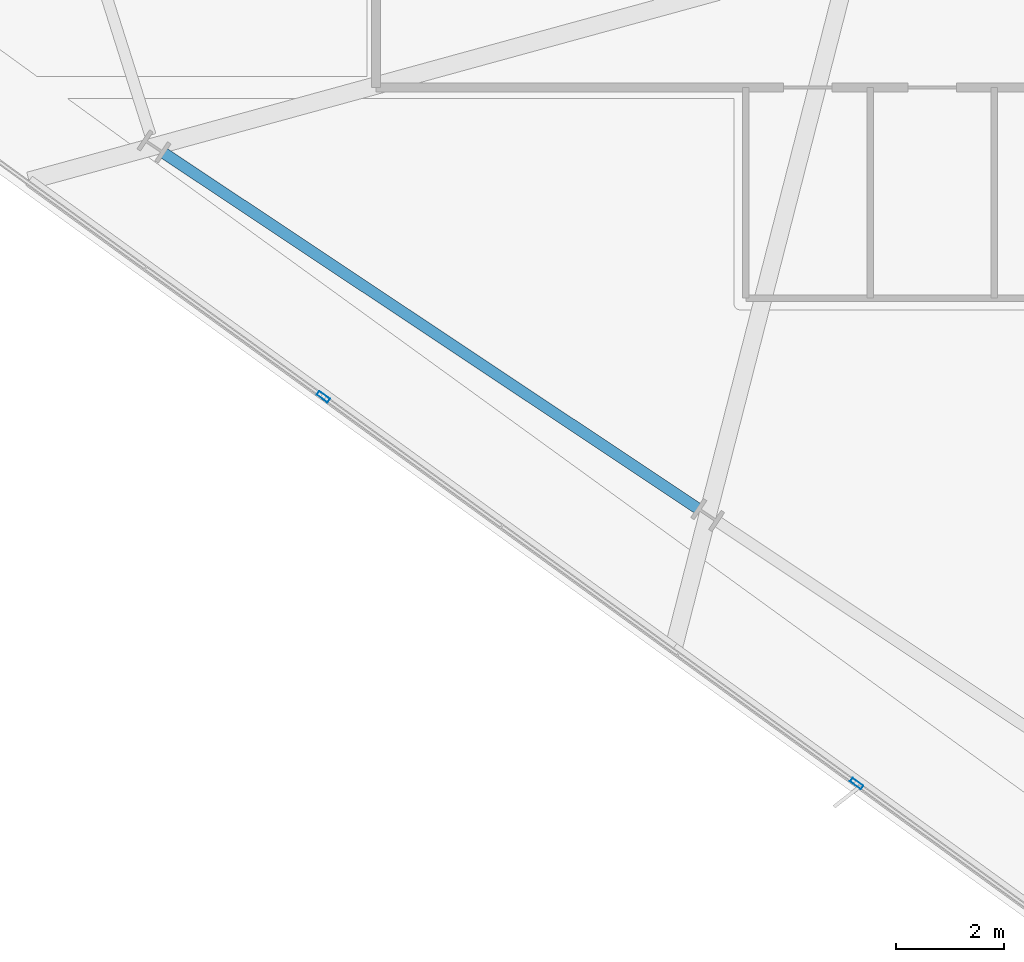
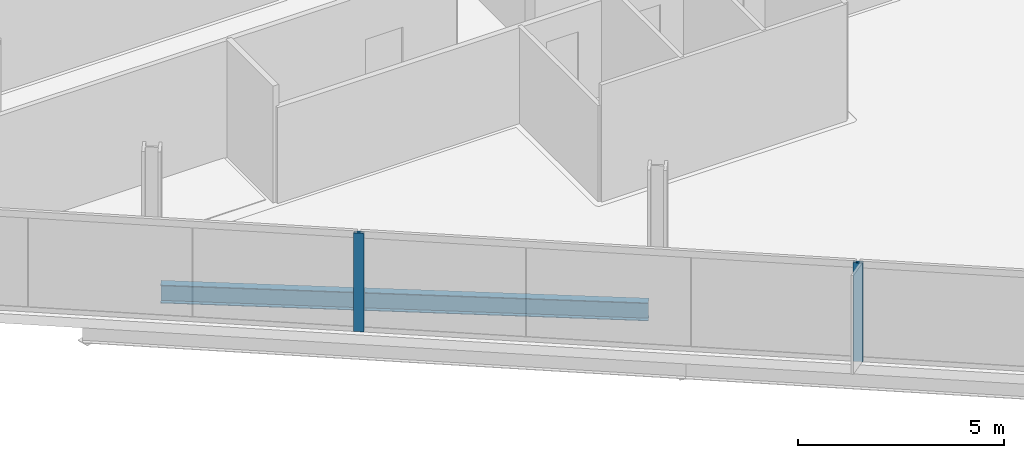
# One storey, part 2 of 29: 2 members, 1 beam, 1 element without a shape of its own.
"""IFC4 building model written with IfcOpenShell, lengths in metres."""

from ifc_helpers import new_model, si_unit, direction, frame, origin, origin_2d, place, context, subcontext, project, spatial, hollow_rectangle, i_section, extrude, material, material_profile, profile_set, type_object, element, aggregate, save


model = new_model("IFC4")

# Units and contexts
model_context = context("Model", 3, precision=1e-05, world=origin(), true_north=direction((0.0, 1.0)))
body_context = subcontext(model_context, "Body", "Model", "MODEL_VIEW")
ifc_project = project(units=[si_unit("LENGTHUNIT", "METRE"), si_unit("AREAUNIT", "SQUARE_METRE"), si_unit("VOLUMEUNIT", "CUBIC_METRE"), si_unit("PLANEANGLEUNIT", "RADIAN"), si_unit("MASSUNIT", "GRAM", prefix="KILO")], contexts=[model_context])

# Site, building, storey
site_placement = place(None, origin())
site = spatial("IfcSite", under=ifc_project, at=site_placement, CompositionType="ELEMENT")
building_placement = place(site_placement, origin())
building = spatial("IfcBuilding", under=site, at=building_placement, Name="Haldenkirk Collegiate Tower", CompositionType="ELEMENT")
storey_placement = place(building_placement, frame((0.0, 0.0, 209.699951171875)))
storey = spatial("IfcBuildingStorey", under=building, at=storey_placement, Name="L52", CompositionType="ELEMENT", Elevation=209.699951171875)

# Beam
ifc_material_1 = material(Name="Steel ASTM A992 Grade 50", Category="steel")
ifc_material_profile_1 = material_profile(ifc_material_1, i_section(OverallWidth=0.2099609375, OverallDepth=0.537109375, WebThickness=0.010986328125, FlangeThickness=0.017333984375, at=origin_2d()), Name="W21X68")
ifc_profile_set_1 = profile_set([ifc_material_profile_1], Name="Steel ASTM A992 Grade 50")
beam_type = type_object("IfcBeamType", Name="BM-SPANDREL-W21X68", PredefinedType="SPANDREL", material=ifc_profile_set_1)
beam_placement = place(storey_placement, frame((14.26904296875, 14.337158203125, -0.54833984375), z_axis=(0.832438805455, -0.554116986901, 0.0), x_axis=(0.554116986901, 0.832438805455, 0.0)))
element("IfcBeam", 1, at=beam_placement, inside=storey, type_object=beam_type, Name="L52 perimeter spandrel beam 14", PredefinedType="SPANDREL", context=body_context, shape_type="SweptSolid", body=[
    extrude(i_section(OverallWidth=0.2099609375, OverallDepth=0.537109375, WebThickness=0.010986328125, FlangeThickness=0.017333984375, at=origin_2d()), origin(), (0.0, 0.0, 1.0), 11.885009765625),
])

# Curtain wall, members
ifc_material_2 = material(Name="Anodised architectural bronze aluminium", Category="aluminium")
curtain_wall_type = type_object("IfcCurtainWallType", Name="CW-SYS1B-CONVEX-HI", PredefinedType="USERDEFINED", material=ifc_material_2)
curtain_wall_placement = place(storey_placement, origin())
curtain_wall = element("IfcCurtainWall", 2, at=curtain_wall_placement, inside=storey, type_object=curtain_wall_type, Name="L52 Upper tower high-wind convex bronze unitised curtain wall", ObjectType="UNITISED CURTAIN WALL", PredefinedType="USERDEFINED")
ifc_material_profile_2 = material_profile(ifc_material_2, hollow_rectangle(XDim=0.0849609375, YDim=0.25, WallThickness=0.0048828125, at=origin_2d()), Name="CW-MUL-1B")
ifc_profile_set_2 = profile_set([ifc_material_profile_2], Name="Anodised architectural bronze aluminium")
member_type = type_object("IfcMemberType", Name="CW-MUL-1B", PredefinedType="MULLION", material=ifc_profile_set_2)
member_1_placement = place(storey_placement, frame((27.1015625, 2.658203125, 0.0), z_axis=(0.0, 0.0, 1.0), x_axis=(-0.587077169236, -0.809530973689, 0.0)))
member_1 = element("IfcMember", 3, at=member_1_placement, type_object=member_type, Name="CW-1B mullion 2", PredefinedType="MULLION", context=body_context, shape_type="SweptSolid", body=[
    extrude(hollow_rectangle(XDim=0.0849609375, YDim=0.25, WallThickness=0.0048828125, at=origin_2d()), origin(), (0.0, 0.0, 1.0), 2.927978515625),
])
member_2_placement = place(storey_placement, frame((17.225341796875, 9.820556640625, 0.0), z_axis=(0.0, 0.0, 1.0), x_axis=(-0.587077169236, -0.809530973689, 0.0)))
member_2 = element("IfcMember", 4, at=member_2_placement, type_object=member_type, Name="CW-1B mullion 3", PredefinedType="MULLION", context=body_context, shape_type="SweptSolid", body=[
    extrude(hollow_rectangle(XDim=0.0849609375, YDim=0.25, WallThickness=0.0048828125, at=origin_2d()), origin(), (0.0, 0.0, 1.0), 2.927978515625),
])
aggregate(curtain_wall, [member_1, member_2])

save(model, "model.ifc")
